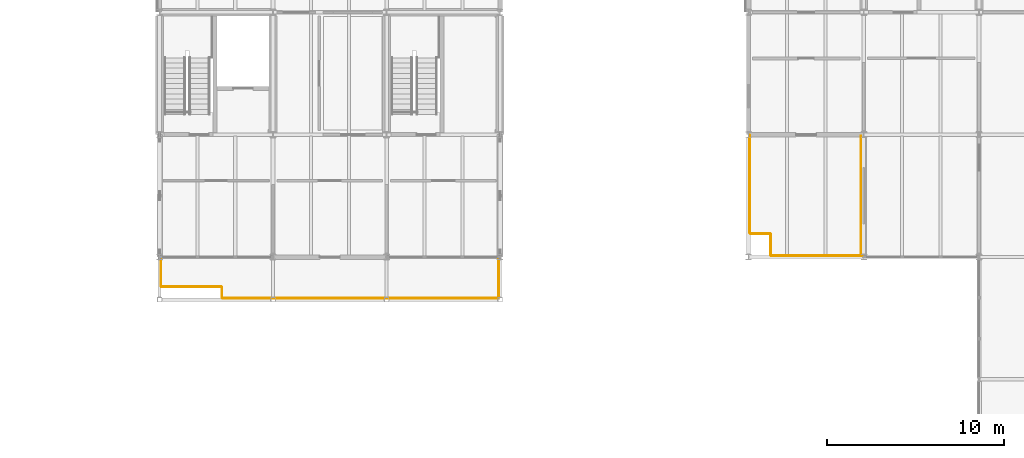
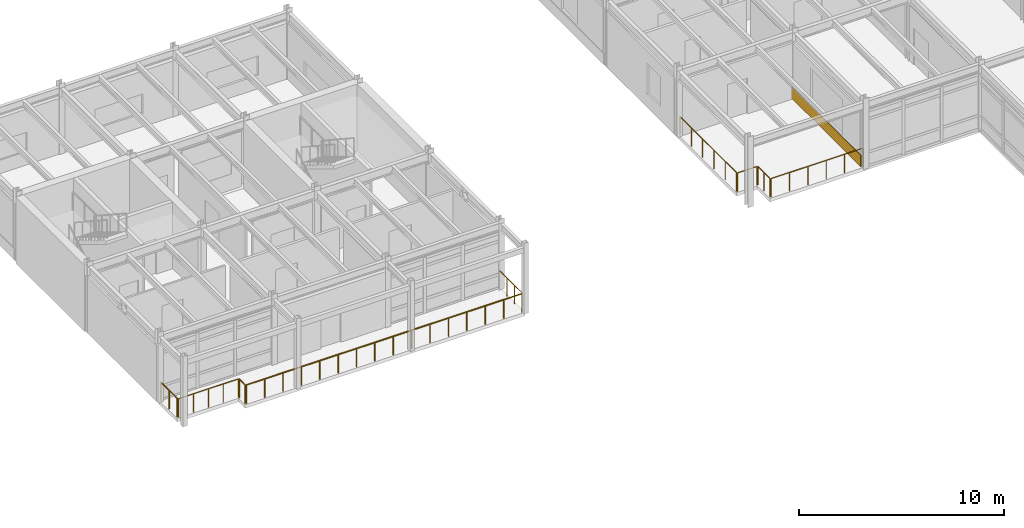
# One storey, part 142 of 144: 9 railings, 1 covering.
"""IFC4 building model written with IfcOpenShell, lengths in metres."""

from ifc_helpers import new_model, si_unit, direction, frame, origin, origin_2d, place, context, subcontext, project, spatial, rectangle, circle, extrude, material, layer, layer_set, type_object, element, save


model = new_model("IFC4")

# Units and contexts
model_context = context("Model", 3, precision=1e-05, world=origin(), true_north=direction((0.0, 1.0)))
body_context = subcontext(model_context, "Body", "Model", "MODEL_VIEW")
ifc_project = project(units=[si_unit("LENGTHUNIT", "METRE"), si_unit("AREAUNIT", "SQUARE_METRE"), si_unit("VOLUMEUNIT", "CUBIC_METRE"), si_unit("PLANEANGLEUNIT", "RADIAN"), si_unit("MASSUNIT", "GRAM", prefix="KILO")], contexts=[model_context])

# Site, building, storey
site_placement = place(None, origin())
site = spatial("IfcSite", under=ifc_project, at=site_placement, CompositionType="ELEMENT")
building_placement = place(site_placement, origin())
building = spatial("IfcBuilding", under=site, at=building_placement, Name="Trelmorton Wharf Fire Station", CompositionType="ELEMENT")
storey_placement = place(building_placement, frame((0.0, 0.0, 5.39990234375)))
storey = spatial("IfcBuildingStorey", under=building, at=storey_placement, Name="L01", CompositionType="ELEMENT", Elevation=5.39990234375)

# Covering
ifc_material_1 = material(Name="Signal-red ribbed aluminium cladding AW-6063", Category="aluminium")
ifc_layer = layer(ifc_material_1, 0.034912109375)
ifc_layer_set = layer_set([ifc_layer], Name="Signal-red ribbed aluminium cladding AW-6063")
covering_type = type_object("IfcCoveringType", Name="CV_CLAD_RED", PredefinedType="CLADDING", material=ifc_layer_set)
covering_placement = place(storey_placement, frame((110.340087890625, 63.75, 0.0400390625), z_axis=(0.0, 0.0, 1.0), x_axis=(0.0, 1.0, 0.0)))
element("IfcCovering", 1, at=covering_placement, inside=storey, type_object=covering_type, Name="CV-RED-0038", PredefinedType="CLADDING", context=body_context, shape_type="SweptSolid", body=[
    extrude(rectangle(XDim=6.77001953125, YDim=0.034912109375, at=origin_2d()), origin(), (0.0, 0.0, 1.0), 0.679931640625),
])

# Railings
ifc_material_2 = material(Name="Signal-red architectural steel Grade 350", Category="steel")
railing_type = type_object("IfcRailingType", Name="RL_BAL_RED", PredefinedType="BALUSTRADE", material=ifc_material_2)
railing_1_placement = place(storey_placement, frame((70.8798828125, 60.260009765625, 0.0)))
element("IfcRailing", 2, at=railing_1_placement, inside=storey, type_object=railing_type, Name="RL-DECK-L01-052", PredefinedType="BALUSTRADE", context=body_context, shape_type="SweptSolid", body=[
    extrude(circle(Radius=0.02392578125, at=origin_2d()), frame((0.0, 0.0, 1.09619140625), z_axis=(0.0, -1.0, 0.0), x_axis=(1.0, 0.0, 0.0)), (0.0, 0.0, 1.0), 1.60009765625),
    extrude(circle(Radius=0.02099609375, at=origin_2d()), origin(), (0.0, 0.0, 1.0), 1.072021484375),
    extrude(circle(Radius=0.02099609375, at=origin_2d()), frame((0.0, -0.800048828125, 0.0)), (0.0, 0.0, 1.0), 1.072021484375),
    extrude(circle(Radius=0.02099609375, at=origin_2d()), frame((0.0, -1.60009765625, 0.0)), (0.0, 0.0, 1.0), 1.072021484375),
])
railing_2_placement = place(storey_placement, frame((70.919921875, 58.6201171875, 0.0)))
element("IfcRailing", 3, at=railing_2_placement, inside=storey, type_object=railing_type, Name="RL-DECK-L01-053", PredefinedType="BALUSTRADE", context=body_context, shape_type="SweptSolid", body=[
    extrude(circle(Radius=0.02392578125, at=origin_2d()), frame((0.0, 0.0, 1.09619140625), z_axis=(1.0, 0.0, 0.0), x_axis=(0.0, 1.0, 0.0)), (0.0, 0.0, 1.0), 3.360107421875),
    extrude(circle(Radius=0.02099609375, at=origin_2d()), origin(), (0.0, 0.0, 1.0), 1.072021484375),
    extrude(circle(Radius=0.02099609375, at=origin_2d()), frame((0.840087890625, 0.0, 0.0)), (0.0, 0.0, 1.0), 1.072021484375),
    extrude(circle(Radius=0.02099609375, at=origin_2d()), frame((1.68017578125, 0.0, 0.0)), (0.0, 0.0, 1.0), 1.072021484375),
    extrude(circle(Radius=0.02099609375, at=origin_2d()), frame((2.52001953125, 0.0, 0.0)), (0.0, 0.0, 1.0), 1.072021484375),
    extrude(circle(Radius=0.02099609375, at=origin_2d()), frame((3.360107421875, 0.0, 0.0)), (0.0, 0.0, 1.0), 1.072021484375),
])
railing_3_placement = place(storey_placement, frame((74.320068359375, 58.580078125, 0.0)))
element("IfcRailing", 4, at=railing_3_placement, inside=storey, type_object=railing_type, Name="RL-DECK-L01-054", PredefinedType="BALUSTRADE", context=body_context, shape_type="SweptSolid", body=[
    extrude(circle(Radius=0.02392578125, at=origin_2d()), frame((0.0, 0.0, 1.09619140625), z_axis=(0.0, -1.0, 0.0), x_axis=(1.0, 0.0, 0.0)), (0.0, 0.0, 1.0), 0.56005859375),
    extrude(circle(Radius=0.02099609375, at=origin_2d()), origin(), (0.0, 0.0, 1.0), 1.072021484375),
    extrude(circle(Radius=0.02099609375, at=origin_2d()), frame((0.0, -0.56005859375, 0.0)), (0.0, 0.0, 1.0), 1.072021484375),
])
railing_4_placement = place(storey_placement, frame((74.360107421875, 57.97998046875, 0.0)))
element("IfcRailing", 5, at=railing_4_placement, inside=storey, type_object=railing_type, Name="RL-DECK-L01-055", PredefinedType="BALUSTRADE", context=body_context, shape_type="SweptSolid", body=[
    extrude(circle(Radius=0.02392578125, at=origin_2d()), frame((0.0, 0.0, 1.09619140625), z_axis=(1.0, 0.0, 0.0), x_axis=(0.0, 1.0, 0.0)), (0.0, 0.0, 1.0), 15.519775390625),
    extrude(circle(Radius=0.02099609375, at=origin_2d()), origin(), (0.0, 0.0, 1.0), 1.072021484375),
    extrude(circle(Radius=0.02099609375, at=origin_2d()), frame((1.03466796875, 0.0, 0.0)), (0.0, 0.0, 1.0), 1.072021484375),
    extrude(circle(Radius=0.02099609375, at=origin_2d()), frame((2.0693359375, 0.0, 0.0)), (0.0, 0.0, 1.0), 1.072021484375),
    extrude(circle(Radius=0.02099609375, at=origin_2d()), frame((3.10400390625, 0.0, 0.0)), (0.0, 0.0, 1.0), 1.072021484375),
    extrude(circle(Radius=0.02099609375, at=origin_2d()), frame((4.138671875, 0.0, 0.0)), (0.0, 0.0, 1.0), 1.072021484375),
    extrude(circle(Radius=0.02099609375, at=origin_2d()), frame((5.17333984375, 0.0, 0.0)), (0.0, 0.0, 1.0), 1.072021484375),
    extrude(circle(Radius=0.02099609375, at=origin_2d()), frame((6.2080078125, 0.0, 0.0)), (0.0, 0.0, 1.0), 1.072021484375),
    extrude(circle(Radius=0.02099609375, at=origin_2d()), frame((7.24267578125, 0.0, 0.0)), (0.0, 0.0, 1.0), 1.072021484375),
    extrude(circle(Radius=0.02099609375, at=origin_2d()), frame((8.277099609375, 0.0, 0.0)), (0.0, 0.0, 1.0), 1.072021484375),
    extrude(circle(Radius=0.02099609375, at=origin_2d()), frame((9.311767578125, 0.0, 0.0)), (0.0, 0.0, 1.0), 1.072021484375),
    extrude(circle(Radius=0.02099609375, at=origin_2d()), frame((10.346435546875, 0.0, 0.0)), (0.0, 0.0, 1.0), 1.072021484375),
    extrude(circle(Radius=0.02099609375, at=origin_2d()), frame((11.381103515625, 0.0, 0.0)), (0.0, 0.0, 1.0), 1.072021484375),
    extrude(circle(Radius=0.02099609375, at=origin_2d()), frame((12.415771484375, 0.0, 0.0)), (0.0, 0.0, 1.0), 1.072021484375),
    extrude(circle(Radius=0.02099609375, at=origin_2d()), frame((13.450439453125, 0.0, 0.0)), (0.0, 0.0, 1.0), 1.072021484375),
    extrude(circle(Radius=0.02099609375, at=origin_2d()), frame((14.485107421875, 0.0, 0.0)), (0.0, 0.0, 1.0), 1.072021484375),
    extrude(circle(Radius=0.02099609375, at=origin_2d()), frame((15.519775390625, 0.0, 0.0)), (0.0, 0.0, 1.0), 1.072021484375),
])
railing_5_placement = place(storey_placement, frame((89.919921875, 58.02001953125, 0.0)))
element("IfcRailing", 6, at=railing_5_placement, inside=storey, type_object=railing_type, Name="RL-DECK-L01-056", PredefinedType="BALUSTRADE", context=body_context, shape_type="SweptSolid", body=[
    extrude(circle(Radius=0.02392578125, at=origin_2d()), frame((0.0, 0.0, 1.09619140625), z_axis=(0.0, 1.0, 0.0), x_axis=(-1.0, 0.0, 0.0)), (0.0, 0.0, 1.0), 2.239990234375),
    extrude(circle(Radius=0.02099609375, at=origin_2d()), origin(), (0.0, 0.0, 1.0), 1.072021484375),
    extrude(circle(Radius=0.02099609375, at=origin_2d()), frame((0.0, 0.74658203125, 0.0)), (0.0, 0.0, 1.0), 1.072021484375),
    extrude(circle(Radius=0.02099609375, at=origin_2d()), frame((0.0, 1.493408203125, 0.0)), (0.0, 0.0, 1.0), 1.072021484375),
    extrude(circle(Radius=0.02099609375, at=origin_2d()), frame((0.0, 2.239990234375, 0.0)), (0.0, 0.0, 1.0), 1.072021484375),
])
railing_6_placement = place(storey_placement, frame((104.080078125, 67.159912109375, 0.0)))
element("IfcRailing", 7, at=railing_6_placement, inside=storey, type_object=railing_type, Name="RL-DECK-L01-077", PredefinedType="BALUSTRADE", context=body_context, shape_type="SweptSolid", body=[
    extrude(circle(Radius=0.02392578125, at=origin_2d()), frame((0.0, 0.0, 1.09619140625), z_axis=(0.0, -1.0, 0.0), x_axis=(1.0, 0.0, 0.0)), (0.0, 0.0, 1.0), 5.5),
    extrude(circle(Radius=0.02099609375, at=origin_2d()), origin(), (0.0, 0.0, 1.0), 1.072021484375),
    extrude(circle(Radius=0.02099609375, at=origin_2d()), frame((0.0, -1.10009765625, 0.0)), (0.0, 0.0, 1.0), 1.072021484375),
    extrude(circle(Radius=0.02099609375, at=origin_2d()), frame((0.0, -2.199951171875, 0.0)), (0.0, 0.0, 1.0), 1.072021484375),
    extrude(circle(Radius=0.02099609375, at=origin_2d()), frame((0.0, -3.300048828125, 0.0)), (0.0, 0.0, 1.0), 1.072021484375),
    extrude(circle(Radius=0.02099609375, at=origin_2d()), frame((0.0, -4.39990234375, 0.0)), (0.0, 0.0, 1.0), 1.072021484375),
    extrude(circle(Radius=0.02099609375, at=origin_2d()), frame((0.0, -5.5, 0.0)), (0.0, 0.0, 1.0), 1.072021484375),
])
railing_7_placement = place(storey_placement, frame((104.1201171875, 61.6201171875, 0.0)))
element("IfcRailing", 8, at=railing_7_placement, inside=storey, type_object=railing_type, Name="RL-DECK-L01-078", PredefinedType="BALUSTRADE", context=body_context, shape_type="SweptSolid", body=[
    extrude(circle(Radius=0.02392578125, at=origin_2d()), frame((0.0, 0.0, 1.09619140625), z_axis=(1.0, 0.0, 0.0), x_axis=(0.0, 1.0, 0.0)), (0.0, 0.0, 1.0), 1.08984375),
    extrude(circle(Radius=0.02099609375, at=origin_2d()), origin(), (0.0, 0.0, 1.0), 1.072021484375),
    extrude(circle(Radius=0.02099609375, at=origin_2d()), frame((1.08984375, 0.0, 0.0)), (0.0, 0.0, 1.0), 1.072021484375),
])
railing_8_placement = place(storey_placement, frame((105.25, 61.580078125, 0.0)))
element("IfcRailing", 9, at=railing_8_placement, inside=storey, type_object=railing_type, Name="RL-DECK-L01-079", PredefinedType="BALUSTRADE", context=body_context, shape_type="SweptSolid", body=[
    extrude(circle(Radius=0.02392578125, at=origin_2d()), frame((0.0, 0.0, 1.09619140625), z_axis=(0.0, -1.0, 0.0), x_axis=(1.0, 0.0, 0.0)), (0.0, 0.0, 1.0), 1.16015625),
    extrude(circle(Radius=0.02099609375, at=origin_2d()), origin(), (0.0, 0.0, 1.0), 1.072021484375),
    extrude(circle(Radius=0.02099609375, at=origin_2d()), frame((0.0, -0.580078125, 0.0)), (0.0, 0.0, 1.0), 1.072021484375),
    extrude(circle(Radius=0.02099609375, at=origin_2d()), frame((0.0, -1.16015625, 0.0)), (0.0, 0.0, 1.0), 1.072021484375),
])
railing_9_placement = place(storey_placement, frame((105.2900390625, 60.3798828125, 0.0)))
element("IfcRailing", 10, at=railing_9_placement, inside=storey, type_object=railing_type, Name="RL-DECK-L01-080", PredefinedType="BALUSTRADE", context=body_context, shape_type="SweptSolid", body=[
    extrude(circle(Radius=0.02392578125, at=origin_2d()), frame((0.0, 0.0, 1.09619140625), z_axis=(1.0, 0.0, 0.0), x_axis=(0.0, 1.0, 0.0)), (0.0, 0.0, 1.0), 5.169921875),
    extrude(circle(Radius=0.02099609375, at=origin_2d()), origin(), (0.0, 0.0, 1.0), 1.072021484375),
    extrude(circle(Radius=0.02099609375, at=origin_2d()), frame((1.033935546875, 0.0, 0.0)), (0.0, 0.0, 1.0), 1.072021484375),
    extrude(circle(Radius=0.02099609375, at=origin_2d()), frame((2.06787109375, 0.0, 0.0)), (0.0, 0.0, 1.0), 1.072021484375),
    extrude(circle(Radius=0.02099609375, at=origin_2d()), frame((3.10205078125, 0.0, 0.0)), (0.0, 0.0, 1.0), 1.072021484375),
    extrude(circle(Radius=0.02099609375, at=origin_2d()), frame((4.135986328125, 0.0, 0.0)), (0.0, 0.0, 1.0), 1.072021484375),
    extrude(circle(Radius=0.02099609375, at=origin_2d()), frame((5.169921875, 0.0, 0.0)), (0.0, 0.0, 1.0), 1.072021484375),
])

save(model, "model.ifc")
